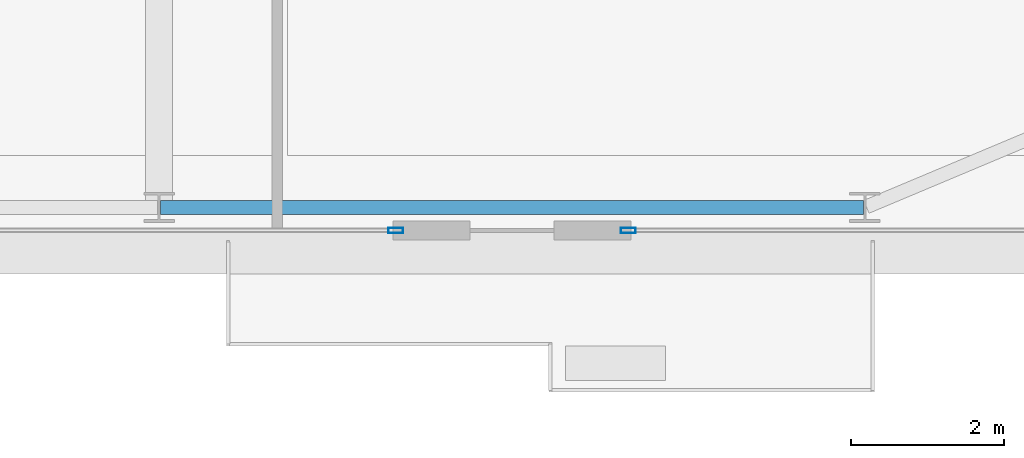
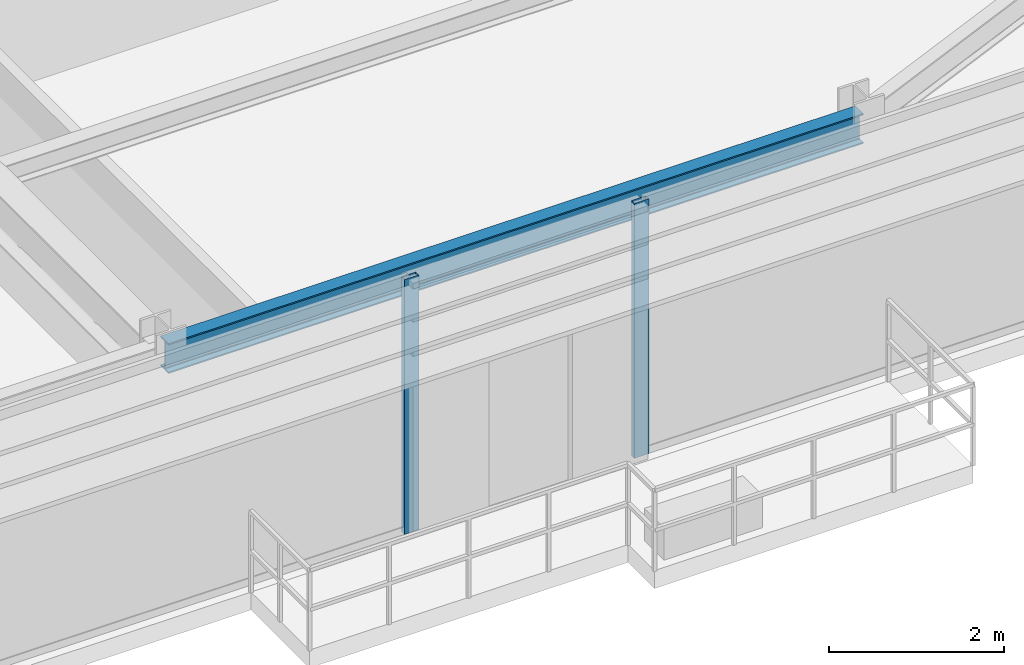
# One storey, part 12 of 32: 2 members, 1 beam, 2 elements without a shape of their own.
"""IFC4 building model written with IfcOpenShell, lengths in metres."""

import ifcopenshell
import ifcopenshell.guid

model = None  # the IFC model being written
_history = None  # IfcOwnerHistory: only IFC2X3 demands one
_inside = {}  # id of a spatial element -> (the spatial element, [elements in it])
_under = {}  # id of a project, library or spatial element -> (it, [spatial elements below it])
_declared = {}  # id of a project -> (the project, [libraries it declares])
_typed = {}  # id of a type object -> (the type object, [elements of that type])
_made_of = {}  # id of a material, layer set ... -> (it, [elements and type objects made of it])


def new_model(schema):
    """Start an empty IFC model of exactly this schema.

    Asked for "IFC4X3", IfcOpenShell would pick the latest addendum, in which some entities
    have other attributes; the version numbers below select the first issue.
    IFC2X3 requires an IfcOwnerHistory on every rooted entity: one is made here for all.
    """
    global model, _history
    if schema == "IFC4X3":
        model = ifcopenshell.file(schema_version=(4, 3, 0, 0))
    else:
        model = ifcopenshell.file(schema=schema)
    _inside.clear()
    _under.clear()
    _declared.clear()
    _typed.clear()
    _made_of.clear()
    _history = None
    if model.schema == "IFC2X3":
        org = make("IfcOrganization", Name="unknown")
        user = make(
            "IfcPersonAndOrganization",
            ThePerson=make("IfcPerson", FamilyName="unknown"),
            TheOrganization=org,
        )
        app = make(
            "IfcApplication",
            ApplicationDeveloper=org,
            Version="unknown",
            ApplicationFullName="unknown",
            ApplicationIdentifier="unknown",
        )
        _history = make(
            "IfcOwnerHistory",
            OwningUser=user,
            OwningApplication=app,
            ChangeAction="ADDED",
            CreationDate=0,
        )
    return model


def make(cls, **values):
    """One entity of the class cls with the attributes given. An attribute that is None is left unset."""
    return model.create_entity(
        cls, **{name: value for name, value in values.items() if value is not None}
    )


def rooted(cls, **values):
    """An entity with a GlobalId (a new one), such as an element, a storey or a relation."""
    return make(cls, GlobalId=ifcopenshell.guid.new(), OwnerHistory=_history, **values)


def si_unit(unit_type, name, prefix=None):
    """IfcSIUnit, for example si_unit("LENGTHUNIT", "METRE", prefix="MILLI")."""
    return make("IfcSIUnit", UnitType=unit_type, Prefix=prefix, Name=name)


def assignment(units):
    """IfcUnitAssignment: the units of a project."""
    return None if units is None else make("IfcUnitAssignment", Units=units)


def point(xyz):
    """IfcCartesianPoint."""
    return None if xyz is None else make("IfcCartesianPoint", Coordinates=xyz)


def direction(xyz):
    """IfcDirection."""
    return None if xyz is None else make("IfcDirection", DirectionRatios=xyz)


def frame(location, z_axis=None, x_axis=None):
    """IfcAxis2Placement3D, a coordinate frame: its origin and axes. An axis left out is left unset."""
    return make(
        "IfcAxis2Placement3D",
        Location=point(location),
        Axis=direction(z_axis),
        RefDirection=direction(x_axis),
    )


def frame_2d(location, x_axis=None):
    """IfcAxis2Placement2D, a coordinate frame in the plane: its origin and x axis."""
    return make(
        "IfcAxis2Placement2D", Location=point(location), RefDirection=direction(x_axis)
    )


def origin():
    """The frame at (0, 0, 0) with its axes left unset."""
    return frame((0.0, 0.0, 0.0))


def origin_2d():
    """The frame at (0, 0) in the plane with its x axis left unset."""
    return frame_2d((0.0, 0.0))


def place(relative_to, where):
    """IfcLocalPlacement: puts the frame where relative to a parent placement (None: the world)."""
    return make(
        "IfcLocalPlacement", PlacementRelTo=relative_to, RelativePlacement=where
    )


def context(
    kind, dimensions, precision=None, world=None, true_north=None, identifier=None
):
    """IfcGeometricRepresentationContext, for example the 3D "Model" context."""
    return make(
        "IfcGeometricRepresentationContext",
        ContextIdentifier=identifier,
        ContextType=kind,
        CoordinateSpaceDimension=dimensions,
        Precision=precision,
        WorldCoordinateSystem=world,
        TrueNorth=true_north,
    )


def subcontext(parent, identifier, kind, view, scale=None):
    """IfcGeometricRepresentationSubContext, for example "Body" below "Model"."""
    return make(
        "IfcGeometricRepresentationSubContext",
        ContextIdentifier=identifier,
        ContextType=kind,
        ParentContext=parent,
        TargetScale=scale,
        TargetView=view,
    )


def project(units=None, contexts=None):
    """IfcProject with its units and contexts."""
    return rooted(
        "IfcProject",
        Name="project",
        RepresentationContexts=contexts,
        UnitsInContext=assignment(units),
    )


def spatial(cls, under=None, at=None, **own):
    """A site, building, storey or space (cls), placed at a placement, below another one or the project."""
    s = rooted(cls, ObjectPlacement=at, **own)
    if under is not None:
        _under.setdefault(under.id(), (under, []))[1].append(s)
    return s


def profile(cls, at=None, kind="AREA", **sizes):
    """A parametric profile (cls). Its sizes go by their IFC names, for example OverallWidth=200.0."""
    return make(cls, ProfileType=kind, Position=at, **sizes)


def hollow_rectangle(**sizes):
    """IfcRectangleHollowProfileDef."""
    return profile("IfcRectangleHollowProfileDef", **sizes)


def i_section(**sizes):
    """IfcIShapeProfileDef."""
    return profile("IfcIShapeProfileDef", **sizes)


def extrude(swept, where, along, depth):
    """IfcExtrudedAreaSolid: the profile swept, set in the frame where, extruded along a direction by depth."""
    return make(
        "IfcExtrudedAreaSolid",
        SweptArea=swept,
        Position=where,
        ExtrudedDirection=direction(along),
        Depth=depth,
    )


def shape(context_of_items, identifier, shape_type, items):
    """IfcShapeRepresentation: the items that make up one representation, for example the "Body"."""
    return make(
        "IfcShapeRepresentation",
        ContextOfItems=context_of_items,
        RepresentationIdentifier=identifier,
        RepresentationType=shape_type,
        Items=items,
    )


def source(mapping_origin, context_of_items, identifier, shape_type, items):
    """IfcRepresentationMap: a shape defined once, which mapped items show again and again."""
    return make(
        "IfcRepresentationMap",
        MappingOrigin=mapping_origin,
        MappedRepresentation=shape(context_of_items, identifier, shape_type, items),
    )


def transform(
    local_origin,
    x_axis=None,
    y_axis=None,
    z_axis=None,
    scale=None,
    scale2=None,
    scale3=None,
    uniform=True,
):
    """IfcCartesianTransformationOperator3D, or its non-uniform kind. x_axis, y_axis, z_axis: its Axis1, 2, 3."""
    if uniform:
        return make(
            "IfcCartesianTransformationOperator3D",
            Axis1=direction(x_axis),
            Axis2=direction(y_axis),
            LocalOrigin=point(local_origin),
            Scale=scale,
            Axis3=direction(z_axis),
        )
    return make(
        "IfcCartesianTransformationOperator3DnonUniform",
        Axis1=direction(x_axis),
        Axis2=direction(y_axis),
        LocalOrigin=point(local_origin),
        Scale=scale,
        Axis3=direction(z_axis),
        Scale2=scale2,
        Scale3=scale3,
    )


def mapped(mapping_source, mapping_target):
    """IfcMappedItem: shows the shape of a source again, moved by a transform."""
    return make(
        "IfcMappedItem", MappingSource=mapping_source, MappingTarget=mapping_target
    )


def material(Name=None, Category=None):
    """IfcMaterial."""
    return make("IfcMaterial", Name=Name, Category=Category)


def layer(
    of_material, thickness, ventilated=None, Name=None, Category=None, Priority=None
):
    """IfcMaterialLayer: one layer of a wall or slab, of a material (None: an air gap)."""
    return make(
        "IfcMaterialLayer",
        Material=of_material,
        LayerThickness=thickness,
        IsVentilated=ventilated,
        Name=Name,
        Category=Category,
        Priority=Priority,
    )


def layer_set(layers, Name=None):
    """IfcMaterialLayerSet."""
    return make("IfcMaterialLayerSet", MaterialLayers=layers, LayerSetName=Name)


def material_profile(
    of_material, cross_section, Name=None, Category=None, Priority=None
):
    """IfcMaterialProfile: a cross section and its material."""
    return make(
        "IfcMaterialProfile",
        Name=Name,
        Material=of_material,
        Profile=cross_section,
        Priority=Priority,
        Category=Category,
    )


def profile_set(profiles, Name=None, composite=None):
    """IfcMaterialProfileSet."""
    return make(
        "IfcMaterialProfileSet",
        Name=Name,
        MaterialProfiles=profiles,
        CompositeProfile=composite,
    )


def made_of(thing, what):
    """Note that an element or type object is made of a material, layer set ...; save() writes the relation."""
    if what is not None:
        _made_of.setdefault(what.id(), (what, []))[1].append(thing)
    return thing


def type_object(cls, material=None, **own):
    """A type object (cls), such as IfcWallType, which elements share."""
    return made_of(rooted(cls, **own), material)


def type_shapes(of_type, sources):
    """Give a type object the sources (RepresentationMaps) that its elements show as mapped items."""
    of_type.RepresentationMaps = sources


def element(
    cls,
    number,
    at=None,
    inside=None,
    cuts=None,
    type_object=None,
    material=None,
    context=None,
    identifier="Body",
    shape_type=None,
    held_by="IfcProductDefinitionShape",
    body=None,
    shapes=None,
    **own,
):
    """One element of the class cls, such as IfcWall. Its Tag is "e" and its number.

    at: its placement. inside: the storey or other place that contains it. cuts: it is an
    opening in that element (IfcRelVoidsElement). A single representation is given by context,
    identifier, shape_type and body (its items); several are given by shapes. held_by: the class
    of the entity that holds the representations. save() writes the other relations.
    """
    e = rooted(cls, Tag="e%d" % number, ObjectPlacement=at, **own)
    if body is not None:
        shapes = [shape(context, identifier, shape_type, body)]
    if shapes is not None:
        e.Representation = make(held_by, Representations=shapes)
    if inside is not None:
        _inside.setdefault(inside.id(), (inside, []))[1].append(e)
    if cuts is not None:
        rooted(
            "IfcRelVoidsElement", RelatingBuildingElement=cuts, RelatedOpeningElement=e
        )
    if type_object is not None:
        _typed.setdefault(type_object.id(), (type_object, []))[1].append(e)
    return made_of(e, material)


def aggregate(whole, parts):
    """IfcRelAggregates: a whole, such as a stair, and the parts it consists of."""
    return rooted("IfcRelAggregates", RelatingObject=whole, RelatedObjects=parts)


def save(model, path):
    """Write the relations noted so far, then the file.

    IfcRelAggregates (storeys below a building ...), IfcRelContainedInSpatialStructure (elements
    in a storey), IfcRelDefinesByType, IfcRelAssociatesMaterial and IfcRelDeclares: one each for
    every whole, place, type object, material and project.
    """
    for whole, parts in _under.values():
        aggregate(whole, parts)
    for where, things in _inside.values():
        rooted(
            "IfcRelContainedInSpatialStructure",
            RelatedElements=things,
            RelatingStructure=where,
        )
    for kind, things in _typed.values():
        rooted("IfcRelDefinesByType", RelatedObjects=things, RelatingType=kind)
    for what, things in _made_of.values():
        rooted("IfcRelAssociatesMaterial", RelatedObjects=things, RelatingMaterial=what)
    for by, libraries in _declared.values():
        rooted("IfcRelDeclares", RelatingContext=by, RelatedDefinitions=libraries)
    model.write(path)


model = new_model("IFC4")

# Units and contexts
model_context = context("Model", 3, precision=1e-05, world=origin(), true_north=direction((0.0, 1.0)))
body_context = subcontext(model_context, "Body", "Model", "MODEL_VIEW")
ifc_project = project(units=[si_unit("LENGTHUNIT", "METRE"), si_unit("AREAUNIT", "SQUARE_METRE"), si_unit("VOLUMEUNIT", "CUBIC_METRE"), si_unit("PLANEANGLEUNIT", "RADIAN"), si_unit("MASSUNIT", "GRAM", prefix="KILO")], contexts=[model_context])

# Site, building, storey
site_placement = place(None, origin())
site = spatial("IfcSite", under=ifc_project, at=site_placement, CompositionType="ELEMENT")
building_placement = place(site_placement, origin())
building = spatial("IfcBuilding", under=site, at=building_placement, Name="Varnel Quay Broadcast Tower", CompositionType="ELEMENT")
storey_placement = place(building_placement, frame((0.0, 0.0, 133.39990234375)))
storey = spatial("IfcBuildingStorey", under=building, at=storey_placement, Name="L32", CompositionType="ELEMENT", Elevation=133.39990234375)

# Beam
ifc_material_1 = material(Name="Structural Steel CSA G40.21 350W", Category="steel")
ifc_material_profile_1 = material_profile(ifc_material_1, i_section(OverallWidth=0.180908203125, OverallDepth=0.4169921875, WebThickness=0.010986328125, FlangeThickness=0.018310546875, FilletRadius=0.011962890625, at=origin_2d()), Name="W410X85")
ifc_profile_set_1 = profile_set([ifc_material_profile_1], Name="Structural Steel CSA G40.21 350W")
beam_type = type_object("IfcBeamType", Name="Beam_W410X85", PredefinedType="SPANDREL", material=ifc_profile_set_1)
shared_shape_1 = source(origin(), body_context, "Body", "SweptSolid", [
    extrude(i_section(OverallWidth=0.180908203125, OverallDepth=0.4169921875, WebThickness=0.010986328125, FlangeThickness=0.018310546875, FilletRadius=0.011962890625, at=origin_2d()), origin(), (0.0, 0.0, 1.0), 9.159912109375),
])
type_shapes(beam_type, [shared_shape_1])
beam_placement = place(storey_placement, frame((43.219970703125, 4.64990234375, 3.341552734375), z_axis=(1.0, 0.0, 0.0), x_axis=(0.0, 1.0, 0.0)))
element("IfcBeam", 1, at=beam_placement, inside=storey, type_object=beam_type, Name="L32 South Spandrel TC-S4-TC-S5", PredefinedType="SPANDREL", context=body_context, shape_type="MappedRepresentation", body=[
    mapped(shared_shape_1, transform((0.0, 0.0, 0.0), x_axis=(1.0, 0.0, 0.0), y_axis=(0.0, 1.0, 0.0), z_axis=(0.0, 0.0, 1.0), scale=1.0)),
])

# Curtain wall, member
ifc_material_2 = material(Name="Anodised Bronze Aluminium 6063-T6", Category="aluminium")
ifc_layer = layer(ifc_material_2, 0.18994140625, Name="Anodised Bronze Aluminium 6063-T6")
ifc_layer_set = layer_set([ifc_layer], Name="Anodised Bronze Aluminium 6063-T6")
curtain_wall_type = type_object("IfcCurtainWallType", Name="CW_LowerTower", PredefinedType="NOTDEFINED", material=ifc_layer_set)
curtain_wall_1_placement = place(storey_placement, origin())
curtain_wall_1 = element("IfcCurtainWall", 2, at=curtain_wall_1_placement, inside=storey, type_object=curtain_wall_type, Name="L32 South Unitised Curtain Wall 2", PredefinedType="NOTDEFINED")
ifc_material_profile_2 = material_profile(ifc_material_2, hollow_rectangle(XDim=0.070068359375, YDim=0.18994140625, WallThickness=0.00390625, at=origin_2d()), Name="ALU70X190X4")
ifc_profile_set_2 = profile_set([ifc_material_profile_2], Name="Anodised Bronze Aluminium 6063-T6")
member_type = type_object("IfcMemberType", Name="Mull_CWS-02", PredefinedType="MULLION", material=ifc_profile_set_2)
shared_shape_2 = source(origin(), body_context, "Body", "SweptSolid", [
    extrude(hollow_rectangle(XDim=0.070068359375, YDim=0.18994140625, WallThickness=0.00390625, at=origin_2d()), origin(), (0.0, 0.0, 1.0), 3.550048828125),
])
type_shapes(member_type, [shared_shape_2])
member_1_placement = place(storey_placement, frame((46.284912109375, 4.35009765625, 0.0), z_axis=(0.0, 0.0, 1.0), x_axis=(0.0, 1.0, 0.0)))
member_1 = element("IfcMember", 3, at=member_1_placement, type_object=member_type, Name="CWS-02 mullion 3", PredefinedType="MULLION", context=body_context, shape_type="MappedRepresentation", body=[
    mapped(shared_shape_2, transform((0.0, 0.0, 0.0), x_axis=(1.0, 0.0, 0.0), y_axis=(0.0, 1.0, 0.0), z_axis=(0.0, 0.0, 1.0), scale=1.0)),
])
aggregate(curtain_wall_1, [member_1])

curtain_wall_2_placement = place(storey_placement, origin())
curtain_wall_2 = element("IfcCurtainWall", 4, at=curtain_wall_2_placement, inside=storey, type_object=curtain_wall_type, Name="L32 South Unitised Curtain Wall 3", PredefinedType="NOTDEFINED")
member_2_placement = place(storey_placement, frame((49.31494140625, 4.35009765625, 0.0), z_axis=(0.0, 0.0, 1.0), x_axis=(0.0, 1.0, 0.0)))
member_2 = element("IfcMember", 5, at=member_2_placement, type_object=member_type, Name="CWS-02 mullion 1", PredefinedType="MULLION", context=body_context, shape_type="MappedRepresentation", body=[
    mapped(shared_shape_2, transform((0.0, 0.0, 0.0), x_axis=(1.0, 0.0, 0.0), y_axis=(0.0, 1.0, 0.0), z_axis=(0.0, 0.0, 1.0), scale=1.0)),
])
aggregate(curtain_wall_2, [member_2])

save(model, "model.ifc")
